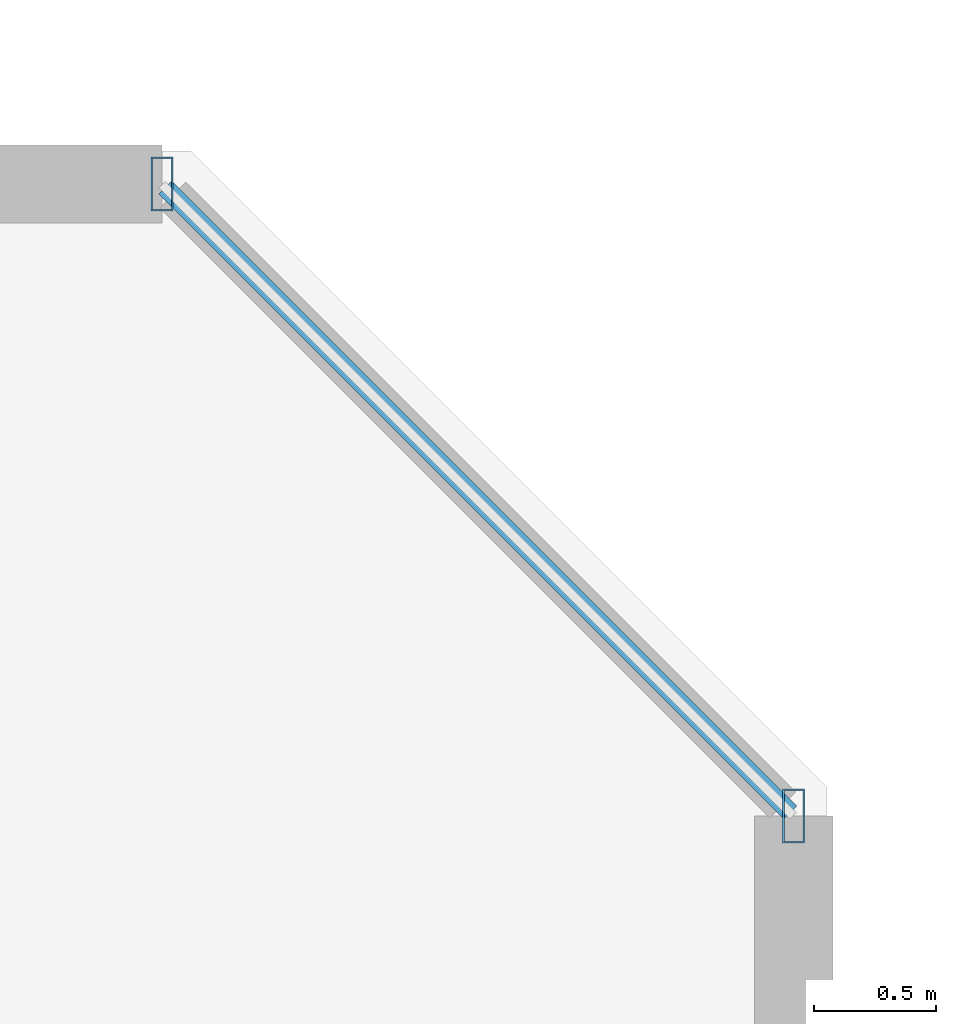
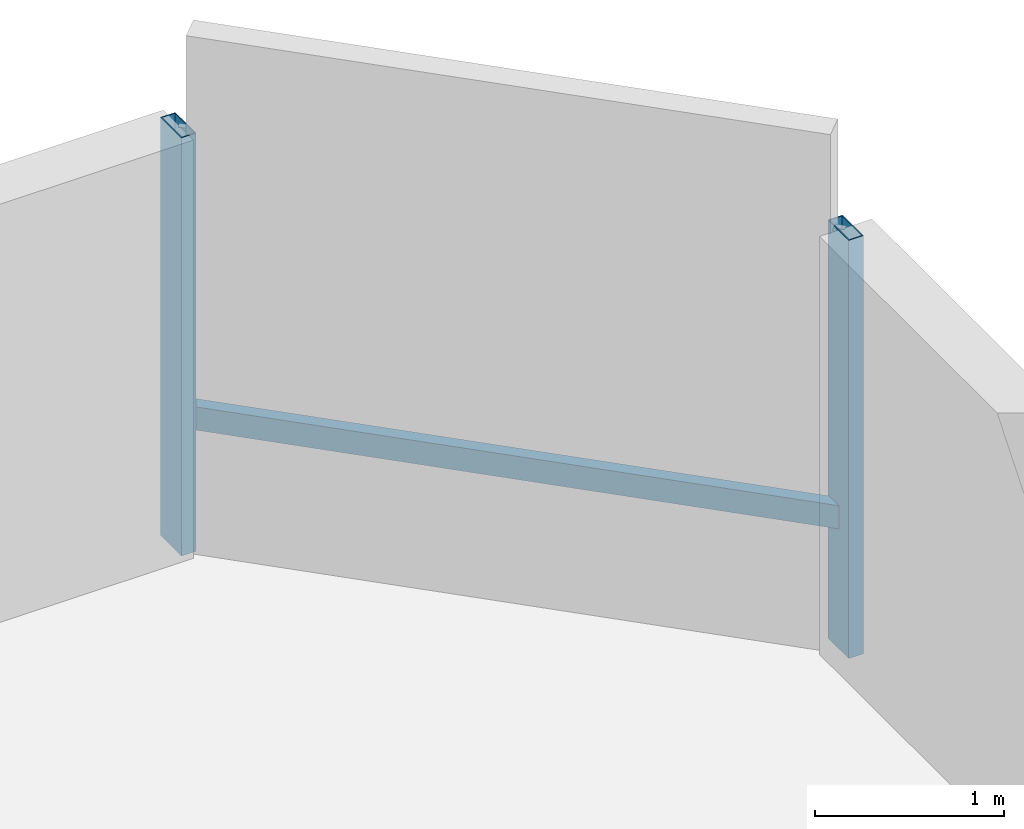
# One storey, part 18 of 34: 3 members, 1 element without a shape of its own.
"""IFC4 building model written with IfcOpenShell, lengths in metres."""

from ifc_helpers import new_model, si_unit, direction, frame, origin, origin_2d, place, context, subcontext, project, spatial, hollow_rectangle, extrude, material, material_profile, profile_set, type_object, element, aggregate, save


model = new_model("IFC4")

# Units and contexts
model_context = context("Model", 3, precision=1e-05, world=origin(), true_north=direction((0.0, 1.0)))
body_context = subcontext(model_context, "Body", "Model", "MODEL_VIEW")
ifc_project = project(units=[si_unit("LENGTHUNIT", "METRE"), si_unit("AREAUNIT", "SQUARE_METRE"), si_unit("VOLUMEUNIT", "CUBIC_METRE"), si_unit("PLANEANGLEUNIT", "RADIAN"), si_unit("MASSUNIT", "GRAM", prefix="KILO")], contexts=[model_context])

# Site, building, storey
site_placement = place(None, origin())
site = spatial("IfcSite", under=ifc_project, at=site_placement, CompositionType="ELEMENT")
building_placement = place(site_placement, origin())
building = spatial("IfcBuilding", under=site, at=building_placement, Name="Thornwick Lancets Civic Towers", CompositionType="ELEMENT")
storey_placement = place(building_placement, frame((0.0, 0.0, 57.300048828125)))
storey = spatial("IfcBuildingStorey", under=building, at=storey_placement, Name="L14", CompositionType="ELEMENT", Elevation=57.300048828125)

# Curtain wall, members
ifc_material_1 = material(Name="Low-zone chamfered-corner unitised glass curtain wall", Category="glass")
curtain_wall_type = type_object("IfcCurtainWallType", Name="CW_SYS_03", PredefinedType="NOTDEFINED", material=ifc_material_1)
curtain_wall_placement = place(storey_placement, origin())
curtain_wall = element("IfcCurtainWall", 1, at=curtain_wall_placement, inside=storey, type_object=curtain_wall_type, Name="L14 Curtain Wall CW-L14-B-E3", PredefinedType="NOTDEFINED")
ifc_material_2 = material(Name="Thermally broken bronze aluminium S355", Category="steel")
ifc_material_profile_1 = material_profile(ifc_material_2, hollow_rectangle(XDim=0.090087890625, YDim=0.219970703125, WallThickness=0.00634765625, at=origin_2d()), Name="RHS 220x90x6.3")
ifc_profile_set_1 = profile_set([ifc_material_profile_1], Name="Thermally broken bronze aluminium S355")
member_type_1 = type_object("IfcMemberType", Name="CW_MUL_220", PredefinedType="MULLION", material=ifc_profile_set_1)
member_1_placement = place(storey_placement, frame((112.764892578125, 48.68115234375, 0.0), z_axis=(0.0, 0.0, 1.0), x_axis=(1.0, 0.0, 0.0)))
member_1 = element("IfcMember", 2, at=member_1_placement, type_object=member_type_1, Name="CW-L14-B-E3 Mullion 0", PredefinedType="MULLION", context=body_context, shape_type="SweptSolid", body=[
    extrude(hollow_rectangle(XDim=0.090087890625, YDim=0.219970703125, WallThickness=0.00634765625, at=origin_2d()), origin(), (0.0, 0.0, 1.0), 2.699951171875),
])
member_2_placement = place(storey_placement, frame((110.18115234375, 51.264892578125, 0.0), z_axis=(0.0, 0.0, 1.0), x_axis=(1.0, 0.0, 0.0)))
member_2 = element("IfcMember", 3, at=member_2_placement, type_object=member_type_1, Name="CW-L14-B-E3 Mullion 1", PredefinedType="MULLION", context=body_context, shape_type="SweptSolid", body=[
    extrude(hollow_rectangle(XDim=0.090087890625, YDim=0.219970703125, WallThickness=0.00634765625, at=origin_2d()), origin(), (0.0, 0.0, 1.0), 2.699951171875),
])
ifc_material_profile_2 = material_profile(ifc_material_2, hollow_rectangle(XDim=0.074951171875, YDim=0.14990234375, WallThickness=0.0048828125, at=origin_2d()), Name="RHS 150x75x5")
ifc_profile_set_2 = profile_set([ifc_material_profile_2], Name="Thermally broken bronze aluminium S355")
member_type_2 = type_object("IfcMemberType", Name="CW_TRN_150", PredefinedType="USERDEFINED", material=ifc_profile_set_2)
member_3_placement = place(storey_placement, frame((112.750732421875, 48.6953125, 0.849853515625), z_axis=(-0.707106781187, 0.707106781187, 0.0), x_axis=(-0.707106781187, -0.707106781187, 0.0)))
member_3 = element("IfcMember", 4, at=member_3_placement, type_object=member_type_2, Name="CW-L14-B-E3 Transom 0", ObjectType="TRANSOM", PredefinedType="USERDEFINED", context=body_context, shape_type="SweptSolid", body=[
    extrude(hollow_rectangle(XDim=0.074951171875, YDim=0.14990234375, WallThickness=0.0048828125, at=origin_2d()), origin(), (0.0, 0.0, 1.0), 3.614013671875),
])
aggregate(curtain_wall, [member_1, member_2, member_3])

save(model, "model.ifc")
